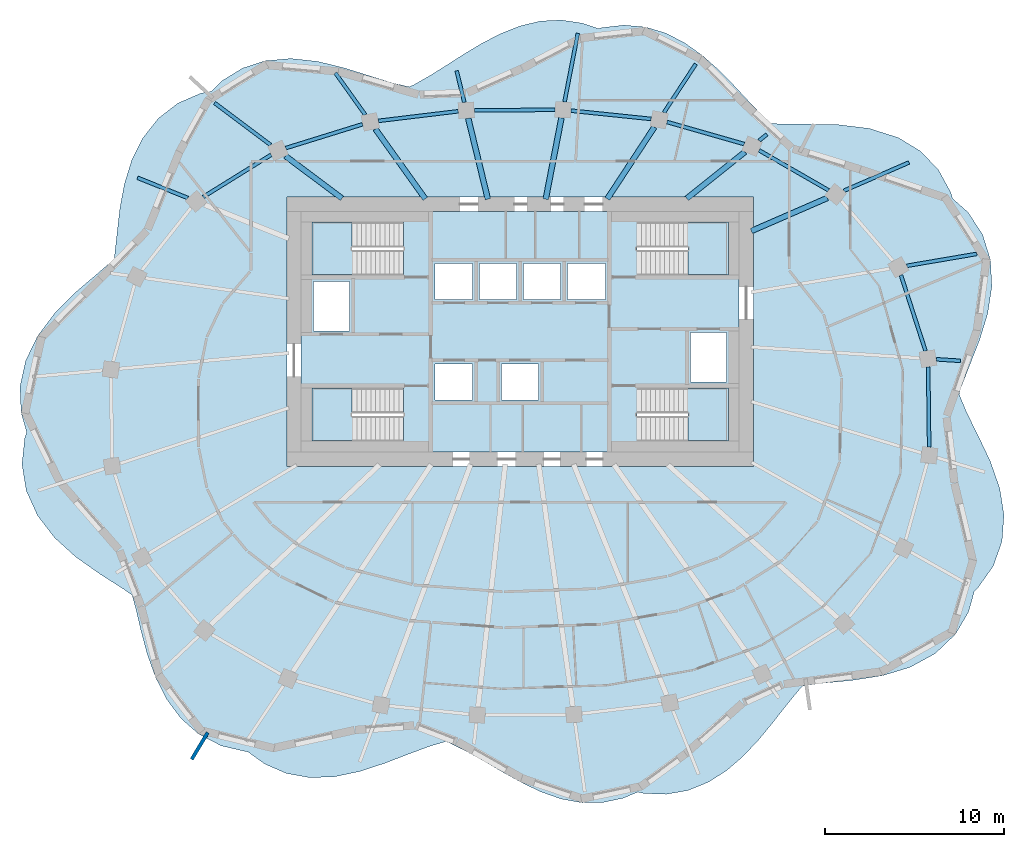
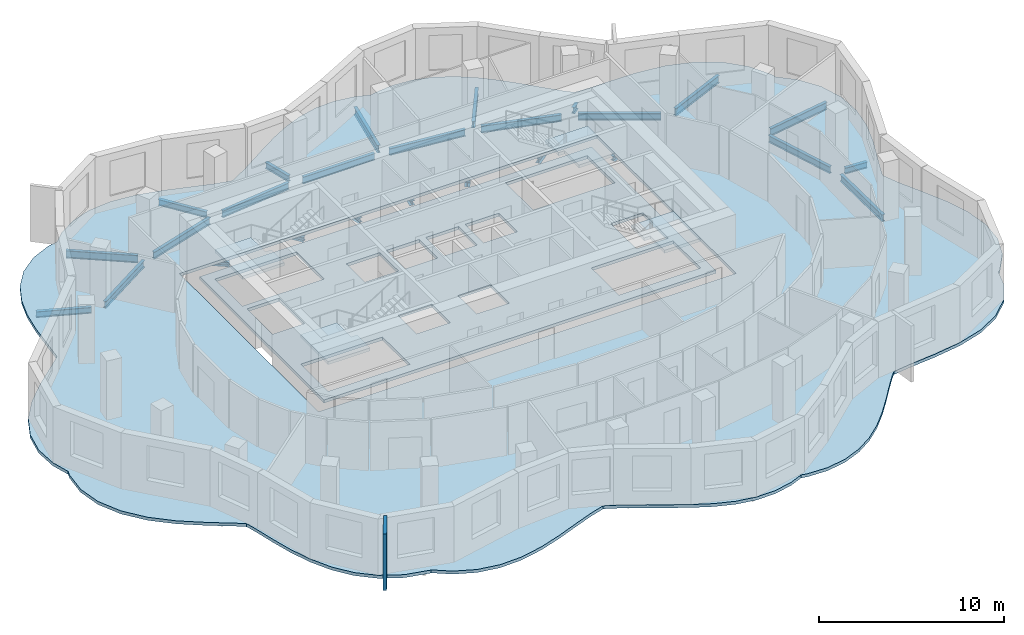
# One storey, part 2 of 9: 26 beams, 6 slabs, 1 wall, 4 elements without a shape of their own.
"""IFC4 building model written with IfcOpenShell, lengths in metres."""

import ifcopenshell
import ifcopenshell.guid

model = None  # the IFC model being written
_history = None  # IfcOwnerHistory: only IFC2X3 demands one
_inside = {}  # id of a spatial element -> (the spatial element, [elements in it])
_under = {}  # id of a project, library or spatial element -> (it, [spatial elements below it])
_declared = {}  # id of a project -> (the project, [libraries it declares])
_typed = {}  # id of a type object -> (the type object, [elements of that type])
_made_of = {}  # id of a material, layer set ... -> (it, [elements and type objects made of it])


def new_model(schema):
    """Start an empty IFC model of exactly this schema.

    Asked for "IFC4X3", IfcOpenShell would pick the latest addendum, in which some entities
    have other attributes; the version numbers below select the first issue.
    IFC2X3 requires an IfcOwnerHistory on every rooted entity: one is made here for all.
    """
    global model, _history
    if schema == "IFC4X3":
        model = ifcopenshell.file(schema_version=(4, 3, 0, 0))
    else:
        model = ifcopenshell.file(schema=schema)
    _inside.clear()
    _under.clear()
    _declared.clear()
    _typed.clear()
    _made_of.clear()
    _history = None
    if model.schema == "IFC2X3":
        org = make("IfcOrganization", Name="unknown")
        user = make(
            "IfcPersonAndOrganization",
            ThePerson=make("IfcPerson", FamilyName="unknown"),
            TheOrganization=org,
        )
        app = make(
            "IfcApplication",
            ApplicationDeveloper=org,
            Version="unknown",
            ApplicationFullName="unknown",
            ApplicationIdentifier="unknown",
        )
        _history = make(
            "IfcOwnerHistory",
            OwningUser=user,
            OwningApplication=app,
            ChangeAction="ADDED",
            CreationDate=0,
        )
    return model


def make(cls, **values):
    """One entity of the class cls with the attributes given. An attribute that is None is left unset."""
    return model.create_entity(
        cls, **{name: value for name, value in values.items() if value is not None}
    )


def rooted(cls, **values):
    """An entity with a GlobalId (a new one), such as an element, a storey or a relation."""
    return make(cls, GlobalId=ifcopenshell.guid.new(), OwnerHistory=_history, **values)


def si_unit(unit_type, name, prefix=None):
    """IfcSIUnit, for example si_unit("LENGTHUNIT", "METRE", prefix="MILLI")."""
    return make("IfcSIUnit", UnitType=unit_type, Prefix=prefix, Name=name)


def assignment(units):
    """IfcUnitAssignment: the units of a project."""
    return None if units is None else make("IfcUnitAssignment", Units=units)


def point(xyz):
    """IfcCartesianPoint."""
    return None if xyz is None else make("IfcCartesianPoint", Coordinates=xyz)


def direction(xyz):
    """IfcDirection."""
    return None if xyz is None else make("IfcDirection", DirectionRatios=xyz)


def frame(location, z_axis=None, x_axis=None):
    """IfcAxis2Placement3D, a coordinate frame: its origin and axes. An axis left out is left unset."""
    return make(
        "IfcAxis2Placement3D",
        Location=point(location),
        Axis=direction(z_axis),
        RefDirection=direction(x_axis),
    )


def frame_2d(location, x_axis=None):
    """IfcAxis2Placement2D, a coordinate frame in the plane: its origin and x axis."""
    return make(
        "IfcAxis2Placement2D", Location=point(location), RefDirection=direction(x_axis)
    )


def origin():
    """The frame at (0, 0, 0) with its axes left unset."""
    return frame((0.0, 0.0, 0.0))


def origin_2d():
    """The frame at (0, 0) in the plane with its x axis left unset."""
    return frame_2d((0.0, 0.0))


def place(relative_to, where):
    """IfcLocalPlacement: puts the frame where relative to a parent placement (None: the world)."""
    return make(
        "IfcLocalPlacement", PlacementRelTo=relative_to, RelativePlacement=where
    )


def context(
    kind, dimensions, precision=None, world=None, true_north=None, identifier=None
):
    """IfcGeometricRepresentationContext, for example the 3D "Model" context."""
    return make(
        "IfcGeometricRepresentationContext",
        ContextIdentifier=identifier,
        ContextType=kind,
        CoordinateSpaceDimension=dimensions,
        Precision=precision,
        WorldCoordinateSystem=world,
        TrueNorth=true_north,
    )


def subcontext(parent, identifier, kind, view, scale=None):
    """IfcGeometricRepresentationSubContext, for example "Body" below "Model"."""
    return make(
        "IfcGeometricRepresentationSubContext",
        ContextIdentifier=identifier,
        ContextType=kind,
        ParentContext=parent,
        TargetScale=scale,
        TargetView=view,
    )


def project(units=None, contexts=None):
    """IfcProject with its units and contexts."""
    return rooted(
        "IfcProject",
        Name="project",
        RepresentationContexts=contexts,
        UnitsInContext=assignment(units),
    )


def spatial(cls, under=None, at=None, **own):
    """A site, building, storey or space (cls), placed at a placement, below another one or the project."""
    s = rooted(cls, ObjectPlacement=at, **own)
    if under is not None:
        _under.setdefault(under.id(), (under, []))[1].append(s)
    return s


def polyline(points):
    """IfcPolyline through the points."""
    return make("IfcPolyline", Points=[point(p) for p in points])


def profile(cls, at=None, kind="AREA", **sizes):
    """A parametric profile (cls). Its sizes go by their IFC names, for example OverallWidth=200.0."""
    return make(cls, ProfileType=kind, Position=at, **sizes)


def rectangle(**sizes):
    """IfcRectangleProfileDef."""
    return profile("IfcRectangleProfileDef", **sizes)


def i_section(**sizes):
    """IfcIShapeProfileDef."""
    return profile("IfcIShapeProfileDef", **sizes)


def outline(outer, holes=None, kind="AREA"):
    """IfcArbitraryClosedProfileDef: a profile drawn as a closed curve; with holes, ...WithVoids."""
    if holes is None:
        return make("IfcArbitraryClosedProfileDef", ProfileType=kind, OuterCurve=outer)
    return make(
        "IfcArbitraryProfileDefWithVoids",
        ProfileType=kind,
        OuterCurve=outer,
        InnerCurves=holes,
    )


def extrude(swept, where, along, depth):
    """IfcExtrudedAreaSolid: the profile swept, set in the frame where, extruded along a direction by depth."""
    return make(
        "IfcExtrudedAreaSolid",
        SweptArea=swept,
        Position=where,
        ExtrudedDirection=direction(along),
        Depth=depth,
    )


def shape(context_of_items, identifier, shape_type, items):
    """IfcShapeRepresentation: the items that make up one representation, for example the "Body"."""
    return make(
        "IfcShapeRepresentation",
        ContextOfItems=context_of_items,
        RepresentationIdentifier=identifier,
        RepresentationType=shape_type,
        Items=items,
    )


def material(Name=None, Category=None):
    """IfcMaterial."""
    return make("IfcMaterial", Name=Name, Category=Category)


def layer(
    of_material, thickness, ventilated=None, Name=None, Category=None, Priority=None
):
    """IfcMaterialLayer: one layer of a wall or slab, of a material (None: an air gap)."""
    return make(
        "IfcMaterialLayer",
        Material=of_material,
        LayerThickness=thickness,
        IsVentilated=ventilated,
        Name=Name,
        Category=Category,
        Priority=Priority,
    )


def layer_set(layers, Name=None):
    """IfcMaterialLayerSet."""
    return make("IfcMaterialLayerSet", MaterialLayers=layers, LayerSetName=Name)


def material_profile(
    of_material, cross_section, Name=None, Category=None, Priority=None
):
    """IfcMaterialProfile: a cross section and its material."""
    return make(
        "IfcMaterialProfile",
        Name=Name,
        Material=of_material,
        Profile=cross_section,
        Priority=Priority,
        Category=Category,
    )


def profile_set(profiles, Name=None, composite=None):
    """IfcMaterialProfileSet."""
    return make(
        "IfcMaterialProfileSet",
        Name=Name,
        MaterialProfiles=profiles,
        CompositeProfile=composite,
    )


def made_of(thing, what):
    """Note that an element or type object is made of a material, layer set ...; save() writes the relation."""
    if what is not None:
        _made_of.setdefault(what.id(), (what, []))[1].append(thing)
    return thing


def type_object(cls, material=None, **own):
    """A type object (cls), such as IfcWallType, which elements share."""
    return made_of(rooted(cls, **own), material)


def element(
    cls,
    number,
    at=None,
    inside=None,
    cuts=None,
    type_object=None,
    material=None,
    context=None,
    identifier="Body",
    shape_type=None,
    held_by="IfcProductDefinitionShape",
    body=None,
    shapes=None,
    **own,
):
    """One element of the class cls, such as IfcWall. Its Tag is "e" and its number.

    at: its placement. inside: the storey or other place that contains it. cuts: it is an
    opening in that element (IfcRelVoidsElement). A single representation is given by context,
    identifier, shape_type and body (its items); several are given by shapes. held_by: the class
    of the entity that holds the representations. save() writes the other relations.
    """
    e = rooted(cls, Tag="e%d" % number, ObjectPlacement=at, **own)
    if body is not None:
        shapes = [shape(context, identifier, shape_type, body)]
    if shapes is not None:
        e.Representation = make(held_by, Representations=shapes)
    if inside is not None:
        _inside.setdefault(inside.id(), (inside, []))[1].append(e)
    if cuts is not None:
        rooted(
            "IfcRelVoidsElement", RelatingBuildingElement=cuts, RelatedOpeningElement=e
        )
    if type_object is not None:
        _typed.setdefault(type_object.id(), (type_object, []))[1].append(e)
    return made_of(e, material)


def aggregate(whole, parts):
    """IfcRelAggregates: a whole, such as a stair, and the parts it consists of."""
    return rooted("IfcRelAggregates", RelatingObject=whole, RelatedObjects=parts)


def save(model, path):
    """Write the relations noted so far, then the file.

    IfcRelAggregates (storeys below a building ...), IfcRelContainedInSpatialStructure (elements
    in a storey), IfcRelDefinesByType, IfcRelAssociatesMaterial and IfcRelDeclares: one each for
    every whole, place, type object, material and project.
    """
    for whole, parts in _under.values():
        aggregate(whole, parts)
    for where, things in _inside.values():
        rooted(
            "IfcRelContainedInSpatialStructure",
            RelatedElements=things,
            RelatingStructure=where,
        )
    for kind, things in _typed.values():
        rooted("IfcRelDefinesByType", RelatedObjects=things, RelatingType=kind)
    for what, things in _made_of.values():
        rooted("IfcRelAssociatesMaterial", RelatedObjects=things, RelatingMaterial=what)
    for by, libraries in _declared.values():
        rooted("IfcRelDeclares", RelatingContext=by, RelatedDefinitions=libraries)
    model.write(path)


model = new_model("IFC4")

# Units and contexts
model_context = context("Model", 3, precision=1e-05, world=origin(), true_north=direction((0.0, 1.0)))
body_context = subcontext(model_context, "Body", "Model", "MODEL_VIEW")
ifc_project = project(units=[si_unit("LENGTHUNIT", "METRE"), si_unit("AREAUNIT", "SQUARE_METRE"), si_unit("VOLUMEUNIT", "CUBIC_METRE"), si_unit("PLANEANGLEUNIT", "RADIAN"), si_unit("MASSUNIT", "GRAM", prefix="KILO")], contexts=[model_context])

# Site, building, storey
site_placement = place(None, origin())
site = spatial("IfcSite", under=ifc_project, at=site_placement, CompositionType="ELEMENT")
building_placement = place(site_placement, origin())
building = spatial("IfcBuilding", under=site, at=building_placement, Name="Rubra Terraces Tower", CompositionType="ELEMENT")
storey_placement = place(building_placement, frame((0.0, 0.0, 284.39990234375)))
storey = spatial("IfcBuildingStorey", under=building, at=storey_placement, Name="L70", CompositionType="ELEMENT", Elevation=284.39990234375)

# Beams
ifc_material_1 = material(Name="Steel Q355B", Category="steel")
ifc_material_profile_1 = material_profile(ifc_material_1, i_section(OverallWidth=0.199951171875, OverallDepth=0.39990234375, WebThickness=0.008056640625, FlangeThickness=0.012939453125, at=origin_2d()), Name="HN 400x200x8x13")
ifc_profile_set_1 = profile_set([ifc_material_profile_1], Name="Steel Q355B")
beam_type_1 = type_object("IfcBeamType", Name="CANTILEVER BEAM HN 400x200x8x13", PredefinedType="BEAM", material=ifc_profile_set_1)
beam_1_placement = place(storey_placement, frame((-3.10693359375, 17.280029296875, -0.39990234375), z_axis=(-0.236299865942, 0.971680180592, 0.0), x_axis=(-0.971680180592, -0.236299865942, 0.0)))
element("IfcBeam", 1, at=beam_1_placement, inside=storey, type_object=beam_type_1, Name="beam-L70-cant-07", PredefinedType="BEAM", context=body_context, shape_type="SweptSolid", body=[
    extrude(i_section(OverallWidth=0.199951171875, OverallDepth=0.39990234375, WebThickness=0.008056640625, FlangeThickness=0.012939453125, at=origin_2d()), origin(), (0.0, 0.0, 1.0), 1.80712890625),
])
beam_2_placement = place(storey_placement, frame((-8.632080078125, 16.591064453125, -0.39990234375), z_axis=(-0.580898696932, 0.81397586199, 0.0), x_axis=(-0.81397586199, -0.580898696932, 0.0)))
element("IfcBeam", 2, at=beam_2_placement, inside=storey, type_object=beam_type_1, Name="beam-L70-cant-08", PredefinedType="BEAM", context=body_context, shape_type="SweptSolid", body=[
    extrude(i_section(OverallWidth=0.199951171875, OverallDepth=0.39990234375, WebThickness=0.008056640625, FlangeThickness=0.012939453125, at=origin_2d()), origin(), (0.0, 0.0, 1.0), 2.857421875),
])
beam_3_placement = place(storey_placement, frame((-18.51708984375, 11.949951171875, -0.39990234375), z_axis=(-0.927727536745, 0.373258111184, 0.0), x_axis=(-0.373258111184, -0.927727536745, 0.0)))
element("IfcBeam", 3, at=beam_3_placement, inside=storey, type_object=beam_type_1, Name="beam-L70-cant-10", PredefinedType="BEAM", context=body_context, shape_type="SweptSolid", body=[
    extrude(i_section(OverallWidth=0.199951171875, OverallDepth=0.39990234375, WebThickness=0.008056640625, FlangeThickness=0.012939453125, at=origin_2d()), origin(), (0.0, 0.0, 1.0), 3.019287109375),
])
ifc_material_profile_2 = material_profile(ifc_material_1, i_section(OverallWidth=0.198974609375, OverallDepth=0.446044921875, WebThickness=0.008056640625, FlangeThickness=0.011962890625, at=origin_2d()), Name="HN 446x199x8x12")
ifc_profile_set_2 = profile_set([ifc_material_profile_2], Name="Steel Q355B")
beam_type_2 = type_object("IfcBeamType", Name="CANTILEVER BEAM HN 446x199x8x12", PredefinedType="BEAM", material=ifc_profile_set_2)
beam_4_placement = place(storey_placement, frame((8.01806640625, 16.714111328125, -0.4228515625), z_axis=(0.548902148332, 0.835886614055, 0.0), x_axis=(-0.835886614055, 0.548902148332, 0.0)))
element("IfcBeam", 4, at=beam_4_placement, inside=storey, type_object=beam_type_2, Name="beam-L70-cant-05", PredefinedType="BEAM", context=body_context, shape_type="SweptSolid", body=[
    extrude(i_section(OverallWidth=0.198974609375, OverallDepth=0.446044921875, WebThickness=0.008056640625, FlangeThickness=0.011962890625, at=origin_2d()), origin(), (0.0, 0.0, 1.0), 3.233642578125),
])
ifc_material_profile_3 = material_profile(ifc_material_1, i_section(OverallWidth=0.198974609375, OverallDepth=0.49609375, WebThickness=0.009033203125, FlangeThickness=0.013916015625, at=origin_2d()), Name="HN 496x199x9x14")
ifc_profile_set_3 = profile_set([ifc_material_profile_3], Name="Steel Q355B")
beam_type_3 = type_object("IfcBeamType", Name="CANTILEVER BEAM HN 496x199x9x14", PredefinedType="BEAM", material=ifc_profile_set_3)
beam_5_placement = place(storey_placement, frame((21.552001953125, 8.169921875, -0.447998046875), z_axis=(0.985809855884, 0.167865803673, 0.0), x_axis=(-0.167865803673, 0.985809855884, 0.0)))
element("IfcBeam", 5, at=beam_5_placement, inside=storey, type_object=beam_type_3, Name="beam-L70-cant-02", PredefinedType="BEAM", context=body_context, shape_type="SweptSolid", body=[
    extrude(i_section(OverallWidth=0.198974609375, OverallDepth=0.49609375, WebThickness=0.009033203125, FlangeThickness=0.013916015625, at=origin_2d()), origin(), (0.0, 0.0, 1.0), 3.9501953125),
])
beam_6_placement = place(storey_placement, frame((18.047119140625, 12.35205078125, -0.447998046875), z_axis=(0.916957011568, 0.398986013459, 0.0), x_axis=(-0.398986013459, 0.916957011568, 0.0)))
element("IfcBeam", 6, at=beam_6_placement, inside=storey, type_object=beam_type_3, Name="beam-L70-cant-03", PredefinedType="BEAM", context=body_context, shape_type="SweptSolid", body=[
    extrude(i_section(OverallWidth=0.198974609375, OverallDepth=0.49609375, WebThickness=0.009033203125, FlangeThickness=0.013916015625, at=origin_2d()), origin(), (0.0, 0.0, 1.0), 3.949951171875),
])
beam_7_placement = place(storey_placement, frame((2.47802734375, 17.30810546875, -0.447998046875), z_axis=(0.190086340731, 0.981767377268, 0.0), x_axis=(-0.981767377268, 0.190086340731, 0.0)))
element("IfcBeam", 7, at=beam_7_placement, inside=storey, type_object=beam_type_3, Name="beam-L70-cant-06", PredefinedType="BEAM", context=body_context, shape_type="SweptSolid", body=[
    extrude(i_section(OverallWidth=0.198974609375, OverallDepth=0.49609375, WebThickness=0.009033203125, FlangeThickness=0.013916015625, at=origin_2d()), origin(), (0.0, 0.0, 1.0), 3.8876953125),
])
beam_8_placement = place(storey_placement, frame((-13.89794921875, 14.903076171875, -0.447998046875), z_axis=(-0.800479582074, 0.599360024261, 0.0), x_axis=(-0.599360024261, -0.800479582074, 0.0)))
element("IfcBeam", 8, at=beam_8_placement, inside=storey, type_object=beam_type_3, Name="beam-L70-cant-09", PredefinedType="BEAM", context=body_context, shape_type="SweptSolid", body=[
    extrude(i_section(OverallWidth=0.198974609375, OverallDepth=0.49609375, WebThickness=0.009033203125, FlangeThickness=0.013916015625, at=origin_2d()), origin(), (0.0, 0.0, 1.0), 3.907470703125),
])
ifc_material_profile_4 = material_profile(ifc_material_1, i_section(OverallWidth=0.199951171875, OverallDepth=0.39990234375, WebThickness=0.008056640625, FlangeThickness=0.012939453125, at=origin_2d()), Name="HN 400x200x8x13")
ifc_profile_set_4 = profile_set([ifc_material_profile_4], Name="Steel Q355B")
beam_type_4 = type_object("IfcBeamType", Name="CANTILEVER STUB HN 400x200x8x13", PredefinedType="BEAM", material=ifc_profile_set_4)
beam_9_placement = place(storey_placement, frame((23.195068359375, 2.9619140625, -0.39990234375), z_axis=(0.99785850461, -0.065409515961, 0.0), x_axis=(0.065409515961, 0.99785850461, 0.0)))
element("IfcBeam", 9, at=beam_9_placement, inside=storey, type_object=beam_type_4, Name="beam-L70-cant-01", PredefinedType="BEAM", context=body_context, shape_type="SweptSolid", body=[
    extrude(i_section(OverallWidth=0.199951171875, OverallDepth=0.39990234375, WebThickness=0.008056640625, FlangeThickness=0.012939453125, at=origin_2d()), origin(), (0.0, 0.0, 1.0), 1.34375),
])
beam_10_placement = place(storey_placement, frame((13.326904296875, 15.152099609375, -0.39990234375), z_axis=(0.780868809443, 0.624695047554, 0.0), x_axis=(-0.624695047554, 0.780868809443, 0.0)))
element("IfcBeam", 10, at=beam_10_placement, inside=storey, type_object=beam_type_4, Name="beam-L70-cant-04", PredefinedType="BEAM", context=body_context, shape_type="SweptSolid", body=[
    extrude(i_section(OverallWidth=0.199951171875, OverallDepth=0.39990234375, WebThickness=0.008056640625, FlangeThickness=0.012939453125, at=origin_2d()), origin(), (0.0, 0.0, 1.0), 0.545654296875),
])
ifc_material_profile_5 = material_profile(ifc_material_1, i_section(OverallWidth=0.304931640625, OverallDepth=0.300048828125, WebThickness=0.014892578125, FlangeThickness=0.014892578125, at=origin_2d()), Name="HW 300x305x15x15")
ifc_profile_set_5 = profile_set([ifc_material_profile_5], Name="Steel Q355B")
beam_type_5 = type_object("IfcBeamType", Name="FLOOR BEAM HW 300x305x15x15", PredefinedType="BEAM", material=ifc_profile_set_5)
beam_11_placement = place(storey_placement, frame((17.12109375, 11.949951171875, -0.349853515625), z_axis=(-0.916958146743, -0.398983404569, 0.0), x_axis=(0.398983404569, -0.916958146743, 0.0)))
element("IfcBeam", 11, at=beam_11_placement, inside=storey, type_object=beam_type_5, Name="beam-L70-floor-03", PredefinedType="BEAM", context=body_context, shape_type="SweptSolid", body=[
    extrude(i_section(OverallWidth=0.304931640625, OverallDepth=0.300048828125, WebThickness=0.014892578125, FlangeThickness=0.014892578125, at=origin_2d()), origin(), (0.0, 0.0, 1.0), 4.614501953125),
])
beam_12_placement = place(storey_placement, frame((12.527099609375, 14.511962890625, -0.349853515625), z_axis=(-0.781190597938, -0.624292599423, 0.0), x_axis=(0.624292599423, -0.781190597938, 0.0)))
element("IfcBeam", 12, at=beam_12_placement, inside=storey, type_object=beam_type_5, Name="beam-L70-floor-04", PredefinedType="BEAM", context=body_context, shape_type="SweptSolid", body=[
    extrude(i_section(OverallWidth=0.304931640625, OverallDepth=0.300048828125, WebThickness=0.014892578125, FlangeThickness=0.014892578125, at=origin_2d()), origin(), (0.0, 0.0, 1.0), 4.143798828125),
])
beam_13_placement = place(storey_placement, frame((7.48388671875, 15.89990234375, -0.349853515625), z_axis=(-0.548799087814, -0.835954281773, 0.0), x_axis=(0.835954281773, -0.548799087814, 0.0)))
element("IfcBeam", 13, at=beam_13_placement, inside=storey, type_object=beam_type_5, Name="beam-L70-floor-05", PredefinedType="BEAM", context=body_context, shape_type="SweptSolid", body=[
    extrude(i_section(OverallWidth=0.304931640625, OverallDepth=0.300048828125, WebThickness=0.014892578125, FlangeThickness=0.014892578125, at=origin_2d()), origin(), (0.0, 0.0, 1.0), 4.784912109375),
])
beam_14_placement = place(storey_placement, frame((2.305908203125, 16.416015625, -0.349853515625), z_axis=(-0.190104093884, -0.981763939798, 0.0), x_axis=(0.981763939798, -0.190104093884, 0.0)))
element("IfcBeam", 14, at=beam_14_placement, inside=storey, type_object=beam_type_5, Name="beam-L70-floor-06", PredefinedType="BEAM", context=body_context, shape_type="SweptSolid", body=[
    extrude(i_section(OverallWidth=0.304931640625, OverallDepth=0.300048828125, WebThickness=0.014892578125, FlangeThickness=0.014892578125, at=origin_2d()), origin(), (0.0, 0.0, 1.0), 4.6181640625),
])
beam_15_placement = place(storey_placement, frame((-2.89111328125, 16.39208984375, -0.349853515625), z_axis=(0.236229407797, -0.971697312383, 0.0), x_axis=(0.971697312383, 0.236229407797, 0.0)))
element("IfcBeam", 15, at=beam_15_placement, inside=storey, type_object=beam_type_5, Name="beam-L70-floor-07", PredefinedType="BEAM", context=body_context, shape_type="SweptSolid", body=[
    extrude(i_section(OverallWidth=0.304931640625, OverallDepth=0.300048828125, WebThickness=0.014892578125, FlangeThickness=0.014892578125, at=origin_2d()), origin(), (0.0, 0.0, 1.0), 4.640380859375),
])
beam_16_placement = place(storey_placement, frame((-8.06201171875, 15.79296875, -0.349853515625), z_axis=(0.580948286594, -0.813940469754, 0.0), x_axis=(0.813940469754, 0.580948286594, 0.0)))
element("IfcBeam", 16, at=beam_16_placement, inside=storey, type_object=beam_type_5, Name="beam-L70-floor-08", PredefinedType="BEAM", context=body_context, shape_type="SweptSolid", body=[
    extrude(i_section(OverallWidth=0.304931640625, OverallDepth=0.300048828125, WebThickness=0.014892578125, FlangeThickness=0.014892578125, at=origin_2d()), origin(), (0.0, 0.0, 1.0), 4.7802734375),
])
beam_17_placement = place(storey_placement, frame((-13.075927734375, 14.2890625, -0.349853515625), z_axis=(0.800431185592, -0.599424655092, 0.0), x_axis=(0.599424655092, 0.800431185592, 0.0)))
element("IfcBeam", 17, at=beam_17_placement, inside=storey, type_object=beam_type_5, Name="beam-L70-floor-09", PredefinedType="BEAM", context=body_context, shape_type="SweptSolid", body=[
    extrude(i_section(OverallWidth=0.304931640625, OverallDepth=0.300048828125, WebThickness=0.014892578125, FlangeThickness=0.014892578125, at=origin_2d()), origin(), (0.0, 0.0, 1.0), 3.93896484375),
])
ifc_material_profile_6 = material_profile(ifc_material_1, i_section(OverallWidth=0.198974609375, OverallDepth=0.446044921875, WebThickness=0.008056640625, FlangeThickness=0.011962890625, at=origin_2d()), Name="HN 446x199x8x12")
ifc_profile_set_6 = profile_set([ifc_material_profile_6], Name="Steel Q355B")
beam_type_6 = type_object("IfcBeamType", Name="SPANDREL BEAM HN 446x199x8x12", PredefinedType="SPANDREL", material=ifc_profile_set_6)
beam_18_placement = place(storey_placement, frame((22.593994140625, 3.426025390625, -0.4228515625), z_axis=(-0.308536942246, 0.951212360764, 0.0), x_axis=(-0.951212360764, -0.308536942246, 0.0)))
element("IfcBeam", 18, at=beam_18_placement, inside=storey, type_object=beam_type_6, Name="beam-L70-spandrel-01", PredefinedType="SPANDREL", context=body_context, shape_type="SweptSolid", body=[
    extrude(i_section(OverallWidth=0.198974609375, OverallDepth=0.446044921875, WebThickness=0.008056640625, FlangeThickness=0.011962890625, at=origin_2d()), origin(), (0.0, 0.0, 1.0), 4.44384765625),
])
beam_19_placement = place(storey_placement, frame((17.18798828125, 12.37890625, -0.4228515625), z_axis=(-0.866616005945, 0.498975648945, 0.0), x_axis=(-0.498975648945, -0.866616005945, 0.0)))
element("IfcBeam", 19, at=beam_19_placement, inside=storey, type_object=beam_type_6, Name="beam-L70-spandrel-03", PredefinedType="SPANDREL", context=body_context, shape_type="SweptSolid", body=[
    extrude(i_section(OverallWidth=0.198974609375, OverallDepth=0.446044921875, WebThickness=0.008056640625, FlangeThickness=0.011962890625, at=origin_2d()), origin(), (0.0, 0.0, 1.0), 4.463134765625),
])
beam_20_placement = place(storey_placement, frame((12.490966796875, 14.9560546875, -0.4228515625), z_axis=(-0.961713024643, 0.27405849418, 0.0), x_axis=(-0.27405849418, -0.961713024643, 0.0)))
element("IfcBeam", 20, at=beam_20_placement, inside=storey, type_object=beam_type_6, Name="beam-L70-spandrel-04", PredefinedType="SPANDREL", context=body_context, shape_type="SweptSolid", body=[
    extrude(i_section(OverallWidth=0.198974609375, OverallDepth=0.446044921875, WebThickness=0.008056640625, FlangeThickness=0.011962890625, at=origin_2d()), origin(), (0.0, 0.0, 1.0), 4.477294921875),
])
beam_21_placement = place(storey_placement, frame((7.302001953125, 16.35400390625, -0.4228515625), z_axis=(-0.994684107425, 0.102973425873, 0.0), x_axis=(-0.102973425873, -0.994684107425, 0.0)))
element("IfcBeam", 21, at=beam_21_placement, inside=storey, type_object=beam_type_6, Name="beam-L70-spandrel-05", PredefinedType="SPANDREL", context=body_context, shape_type="SweptSolid", body=[
    extrude(i_section(OverallWidth=0.198974609375, OverallDepth=0.446044921875, WebThickness=0.008056640625, FlangeThickness=0.011962890625, at=origin_2d()), origin(), (0.0, 0.0, 1.0), 4.48583984375),
])
beam_22_placement = place(storey_placement, frame((1.94091796875, 16.860107421875, -0.4228515625), z_axis=(-0.999987753188, -0.004949088244, 0.0), x_axis=(0.004949088244, -0.999987753188, 0.0)))
element("IfcBeam", 22, at=beam_22_placement, inside=storey, type_object=beam_type_6, Name="beam-L70-spandrel-06", PredefinedType="SPANDREL", context=body_context, shape_type="SweptSolid", body=[
    extrude(i_section(OverallWidth=0.198974609375, OverallDepth=0.446044921875, WebThickness=0.008056640625, FlangeThickness=0.011962890625, at=origin_2d()), origin(), (0.0, 0.0, 1.0), 4.489013671875),
])
beam_23_placement = place(storey_placement, frame((-3.447021484375, 16.781982421875, -0.4228515625), z_axis=(-0.992829862118, -0.119536040116, 0.0), x_axis=(0.119536040116, -0.992829862118, 0.0)))
element("IfcBeam", 23, at=beam_23_placement, inside=storey, type_object=beam_type_6, Name="beam-L70-spandrel-07", PredefinedType="SPANDREL", context=body_context, shape_type="SweptSolid", body=[
    extrude(i_section(OverallWidth=0.198974609375, OverallDepth=0.446044921875, WebThickness=0.008056640625, FlangeThickness=0.011962890625, at=origin_2d()), origin(), (0.0, 0.0, 1.0), 4.483154296875),
])
beam_24_placement = place(storey_placement, frame((-8.779052734375, 16.05810546875, -0.4228515625), z_axis=(-0.955035382264, -0.296491852541, 0.0), x_axis=(0.296491852541, -0.955035382264, 0.0)))
element("IfcBeam", 24, at=beam_24_placement, inside=storey, type_object=beam_type_6, Name="beam-L70-spandrel-08", PredefinedType="SPANDREL", context=body_context, shape_type="SweptSolid", body=[
    extrude(i_section(OverallWidth=0.198974609375, OverallDepth=0.446044921875, WebThickness=0.008056640625, FlangeThickness=0.011962890625, at=origin_2d()), origin(), (0.0, 0.0, 1.0), 4.47607421875),
])
beam_25_placement = place(storey_placement, frame((-13.8720703125, 14.35693359375, -0.4228515625), z_axis=(-0.849641857012, -0.527360137679, 0.0), x_axis=(0.527360137679, -0.849641857012, 0.0)))
element("IfcBeam", 25, at=beam_25_placement, inside=storey, type_object=beam_type_6, Name="beam-L70-spandrel-09", PredefinedType="SPANDREL", context=body_context, shape_type="SweptSolid", body=[
    extrude(i_section(OverallWidth=0.198974609375, OverallDepth=0.446044921875, WebThickness=0.008056640625, FlangeThickness=0.011962890625, at=origin_2d()), origin(), (0.0, 0.0, 1.0), 4.4619140625),
])
beam_26_placement = place(storey_placement, frame((22.7958984375, -1.93408203125, -0.4228515625), z_axis=(-0.01250038801, 0.999921867097, 0.0), x_axis=(-0.999921867097, -0.01250038801, 0.0)))
element("IfcBeam", 26, at=beam_26_placement, inside=storey, type_object=beam_type_6, Name="beam-L70-spandrel-24", PredefinedType="SPANDREL", context=body_context, shape_type="SweptSolid", body=[
    extrude(i_section(OverallWidth=0.198974609375, OverallDepth=0.446044921875, WebThickness=0.008056640625, FlangeThickness=0.011962890625, at=origin_2d()), origin(), (0.0, 0.0, 1.0), 4.472412109375),
])

# Slab
ifc_material_2 = material(Name="Concrete C40", Category="concrete")
ifc_layer_1 = layer(ifc_material_2, 0.199951171875)
ifc_layer_set_1 = layer_set([ifc_layer_1], Name="Concrete C40")
slab_type_1 = type_object("IfcSlabType", Name="Core floor slab 200 concrete", PredefinedType="FLOOR", material=ifc_layer_set_1)
slab_1_placement = place(storey_placement, frame((0.0, 0.0, -0.199951171875)))
element("IfcSlab", 27, at=slab_1_placement, inside=storey, type_object=slab_type_1, Name="CORE FLOOR SLAB L70", PredefinedType="FLOOR", context=body_context, shape_type="SweptSolid", body=[
    extrude(outline(polyline([(-12.199951171875, -2.199951171875), (-12.199951171875, 11.199951171875), (12.199951171875, 11.199951171875), (12.199951171875, -2.199951171875), (-12.199951171875, -2.199951171875)]), holes=[polyline([(11.597900390625, 1.347900390625), (6.501953125, 1.347900390625), (6.501953125, -1.597900390625), (11.597900390625, -1.597900390625), (11.597900390625, 1.347900390625)]), polyline([(11.597900390625, 7.652099609375), (11.597900390625, 10.597900390625), (6.501953125, 10.597900390625), (6.501953125, 7.652099609375), (11.597900390625, 7.652099609375)]), polyline([(9.5, 1.699951171875), (11.5, 1.699951171875), (11.5, 4.449951171875), (9.5, 4.449951171875), (9.5, 1.699951171875)]), polyline([(4.75, 6.300048828125), (4.75, 8.300048828125), (2.64990234375, 8.300048828125), (2.64990234375, 6.300048828125), (4.75, 6.300048828125)]), polyline([(2.25, 8.300048828125), (0.199951171875, 8.300048828125), (0.199951171875, 6.300048828125), (2.25, 6.300048828125), (2.25, 8.300048828125)]), polyline([(1.02490234375, 0.699951171875), (1.02490234375, 2.699951171875), (-1.02490234375, 2.699951171875), (-1.02490234375, 0.699951171875), (1.02490234375, 0.699951171875)]), polyline([(-0.199951171875, 6.300048828125), (-0.199951171875, 8.300048828125), (-2.25, 8.300048828125), (-2.25, 6.300048828125), (-0.199951171875, 6.300048828125)]), polyline([(-4.75, 8.300048828125), (-4.75, 6.300048828125), (-2.64990234375, 6.300048828125), (-2.64990234375, 8.300048828125), (-4.75, 8.300048828125)]), polyline([(-2.64990234375, 0.699951171875), (-2.64990234375, 2.699951171875), (-4.75, 2.699951171875), (-4.75, 0.699951171875), (-2.64990234375, 0.699951171875)]), polyline([(-11.597900390625, -1.597900390625), (-6.501953125, -1.597900390625), (-6.501953125, 1.347900390625), (-11.597900390625, 1.347900390625), (-11.597900390625, -1.597900390625)]), polyline([(-11.597900390625, 10.597900390625), (-11.597900390625, 7.652099609375), (-6.501953125, 7.652099609375), (-6.501953125, 10.597900390625), (-11.597900390625, 10.597900390625)]), polyline([(-9.5, 4.550048828125), (-9.5, 7.300048828125), (-11.5, 7.300048828125), (-11.5, 4.550048828125), (-9.5, 4.550048828125)])]), origin(), (0.0, 0.0, 1.0), 0.199951171875),
])

# Stair, slab
stair_type = type_object("IfcStairType", Name="Core stair 1400", PredefinedType="HALF_TURN_STAIR", material=ifc_material_2)
stair_1_placement = place(storey_placement, origin())
stair_1 = element("IfcStair", 28, at=stair_1_placement, inside=storey, type_object=stair_type, Name="L70 Exit stair S1", PredefinedType="HALF_TURN_STAIR")
ifc_layer_2 = layer(ifc_material_2, 0.199951171875)
ifc_layer_set_2 = layer_set([ifc_layer_2], Name="Concrete C40")
slab_type_2 = type_object("IfcSlabType", Name="Core stair landing 200", PredefinedType="LANDING", material=ifc_layer_set_2)
slab_2_placement = place(storey_placement, frame((0.0, 0.0, 1.75)))
slab_2 = element("IfcSlab", 29, at=slab_2_placement, type_object=slab_type_2, Name="S1 landing 1", PredefinedType="LANDING", context=body_context, shape_type="SweptSolid", body=[
    extrude(outline(polyline([(-8.97998046875, -0.199951171875), (-8.97998046875, -1.60009765625), (-9.360107421875, -1.60009765625), (-9.3798828125, -1.60009765625), (-11.60009765625, -1.60009765625), (-11.60009765625, 1.35009765625), (-9.3798828125, 1.35009765625), (-9.35791015625, 1.35009765625), (-9.35791015625, -0.050048828125), (-9.360107421875, -0.050048828125), (-9.360107421875, -0.199951171875), (-8.97998046875, -0.199951171875)])), origin(), (0.0, 0.0, 1.0), 0.2001953125),
])
aggregate(stair_1, [slab_2])

stair_2_placement = place(storey_placement, origin())
stair_2 = element("IfcStair", 30, at=stair_2_placement, inside=storey, type_object=stair_type, Name="L70 Exit stair S2", PredefinedType="HALF_TURN_STAIR")
slab_3_placement = place(storey_placement, frame((0.0, 0.0, 1.75)))
slab_3 = element("IfcSlab", 31, at=slab_3_placement, type_object=slab_type_2, Name="S2 landing 1", PredefinedType="LANDING", context=body_context, shape_type="SweptSolid", body=[
    extrude(outline(polyline([(-8.97998046875, 9.050048828125), (-8.97998046875, 7.64990234375), (-9.3798828125, 7.64990234375), (-11.60009765625, 7.64990234375), (-11.60009765625, 10.60009765625), (-9.3798828125, 10.60009765625), (-9.360107421875, 10.60009765625), (-9.35791015625, 10.60009765625), (-9.35791015625, 9.199951171875), (-9.360107421875, 9.199951171875), (-9.360107421875, 9.050048828125), (-8.97998046875, 9.050048828125)])), origin(), (0.0, 0.0, 1.0), 0.2001953125),
])
aggregate(stair_2, [slab_3])

stair_3_placement = place(storey_placement, origin())
stair_3 = element("IfcStair", 32, at=stair_3_placement, inside=storey, type_object=stair_type, Name="L70 Exit stair S3", PredefinedType="HALF_TURN_STAIR")
slab_4_placement = place(storey_placement, frame((0.0, 0.0, 1.75)))
slab_4 = element("IfcSlab", 33, at=slab_4_placement, type_object=slab_type_2, Name="S3 landing 1", PredefinedType="LANDING", context=body_context, shape_type="SweptSolid", body=[
    extrude(outline(polyline([(9.360107421875, 9.050048828125), (9.360107421875, 9.199951171875), (8.97998046875, 9.199951171875), (8.97998046875, 10.60009765625), (9.360107421875, 10.60009765625), (9.3798828125, 10.60009765625), (11.60009765625, 10.60009765625), (11.60009765625, 7.64990234375), (9.3798828125, 7.64990234375), (9.35791015625, 7.64990234375), (9.35791015625, 9.050048828125), (9.360107421875, 9.050048828125)])), origin(), (0.0, 0.0, 1.0), 0.2001953125),
])
aggregate(stair_3, [slab_4])

stair_4_placement = place(storey_placement, origin())
stair_4 = element("IfcStair", 34, at=stair_4_placement, inside=storey, type_object=stair_type, Name="L70 Exit stair S4", PredefinedType="HALF_TURN_STAIR")
slab_5_placement = place(storey_placement, frame((0.0, 0.0, 1.75)))
slab_5 = element("IfcSlab", 35, at=slab_5_placement, type_object=slab_type_2, Name="S4 landing 1", PredefinedType="LANDING", context=body_context, shape_type="SweptSolid", body=[
    extrude(outline(polyline([(9.360107421875, -0.199951171875), (9.360107421875, -0.050048828125), (8.97998046875, -0.050048828125), (8.97998046875, 1.35009765625), (9.360107421875, 1.35009765625), (9.3798828125, 1.35009765625), (11.60009765625, 1.35009765625), (11.60009765625, -1.60009765625), (9.3798828125, -1.60009765625), (9.360107421875, -1.60009765625), (9.35791015625, -1.60009765625), (9.35791015625, -0.199951171875), (9.360107421875, -0.199951171875)])), origin(), (0.0, 0.0, 1.0), 0.2001953125),
])
aggregate(stair_4, [slab_5])

# Slab
ifc_layer_3 = layer(ifc_material_2, 0.199951171875)
ifc_layer_set_3 = layer_set([ifc_layer_3], Name="Concrete C40")
slab_type_3 = type_object("IfcSlabType", Name="FLOOR SLAB 200 COMPOSITE", PredefinedType="FLOOR", material=ifc_layer_set_3)
slab_6_placement = place(storey_placement, frame((0.0, 0.0, -0.199951171875)))
element("IfcSlab", 36, at=slab_6_placement, inside=storey, type_object=slab_type_3, Name="FLOOR SLAB L70", PredefinedType="FLOOR", context=body_context, shape_type="SweptSolid", body=[
    extrude(outline(polyline([(-5.048095703125, -18.60888671875), (-4.14111328125, -18.340087890625), (-3.931884765625, -18.422119140625), (-2.991943359375, -18.889892578125), (-2.012939453125, -19.44091796875), (-1.013916015625, -20.02294921875), (0.0, -20.5869140625), (1.131103515625, -21.134033203125), (2.281005859375, -21.5400390625), (3.445068359375, -21.751953125), (4.596923828125, -21.739990234375), (5.73291015625, -21.5), (6.56201171875, -21.157958984375), (6.89892578125, -21.23291015625), (8.137939453125, -21.279052734375), (9.344970703125, -21.069091796875), (10.498046875, -20.60302734375), (11.498046875, -19.965087890625), (12.424072265625, -19.1708984375), (13.27392578125, -18.27001953125), (14.05908203125, -17.320068359375), (14.794921875, -16.381103515625), (15.506103515625, -15.506103515625), (15.75390625, -15.242919921875), (16.818115234375, -15.093994140625), (18.468994140625, -14.93701171875), (20.19189453125, -14.669921875), (21.739013671875, -14.201904296875), (23.134033203125, -13.43896484375), (24.260986328125, -12.362060546875), (24.98291015625, -11.135986328125), (25.31591796875, -9.965087890625), (25.468017578125, -9.8359375), (26.367919921875, -8.56689453125), (26.85693359375, -7.18896484375), (26.966064453125, -5.718017578125), (26.72998046875, -4.23388671875), (26.214111328125, -2.748046875), (25.550048828125, -1.343017578125), (24.883056640625, 0.0), (24.466064453125, 1.011962890625), (24.544921875, 1.305908203125), (25.05908203125, 2.64111328125), (25.614990234375, 4.056884765625), (26.06005859375, 5.510009765625), (26.291015625, 7.01806640625), (26.2109375, 8.51611328125), (25.76708984375, 9.925048828125), (24.9599609375, 11.156005859375), (24.094970703125, 11.927001953125), (24.011962890625, 12.235107421875), (23.31494140625, 13.51611328125), (22.318115234375, 14.55810546875), (21.076904296875, 15.31298828125), (19.4560546875, 15.825927734375), (17.7470703125, 16.032958984375), (16.06103515625, 16.06103515625), (14.5869140625, 16.06494140625), (13.9580078125, 16.114013671875), (14.306884765625, 15.7880859375), (13.486083984375, 16.553955078125), (12.658935546875, 17.424072265625), (11.868896484375, 18.27294921875), (11.032958984375, 19.117919921875), (10.14208984375, 19.905029296875), (9.14306640625, 20.613037109375), (8.0849609375, 21.14990234375), (6.97900390625, 21.47900390625), (5.77294921875, 21.5830078125), (4.552978515625, 21.43994140625), (4.367919921875, 21.385009765625), (3.43701171875, 21.697998046875), (2.2880859375, 21.867919921875), (1.136962890625, 21.80908203125), (0.0, 21.537109375), (-1.06689453125, 21.115966796875), (-2.1240234375, 20.571044921875), (-3.159912109375, 19.948974609375), (-4.10400390625, 19.344970703125), (-5.02587890625, 18.76611328125), (-5.930908203125, 18.2529296875), (-6.173095703125, 18.14208984375), (-7.123046875, 18.365966796875), (-8.426025390625, 18.77001953125), (-9.780029296875, 19.194091796875), (-11.27392578125, 19.56005859375), (-12.77490234375, 19.721923828125), (-14.23388671875, 19.592041015625), (-15.471923828125, 19.18310546875), (-16.589111328125, 18.493896484375), (-17.555908203125, 17.555908203125), (-17.217041015625, 17.885009765625), (-17.787109375, 17.787109375), (-19.06201171875, 17.238037109375), (-20.157958984375, 16.39111328125), (-21.032958984375, 15.281982421875), (-21.64404296875, 14.050048828125), (-22.053955078125, 12.718994140625), (-22.302978515625, 11.364013671875), (-22.466064453125, 9.93701171875), (-22.610107421875, 8.616943359375), (-22.625, 8.532958984375), (-23.623046875, 7.676025390625), (-24.782958984375, 6.68310546875), (-25.9169921875, 5.549072265625), (-26.887939453125, 4.259033203125), (-27.554931640625, 2.8779296875), (-27.867919921875, 1.43408203125), (-27.806884765625, 0.0), (-27.49609375, -1.10595703125), (-27.60400390625, -1.422119140625), (-27.758056640625, -2.89501953125), (-27.52001953125, -4.35888671875), (-26.89306640625, -5.7451171875), (-25.94091796875, -6.986083984375), (-24.77099609375, -8.048095703125), (-23.404052734375, -9.012939453125), (-22.091064453125, -9.84912109375), (-21.6201171875, -10.18310546875), (-21.419921875, -10.9140625), (-21.1298828125, -12.15087890625), (-20.782958984375, -13.4541015625), (-20.31689453125, -14.761962890625), (-19.697021484375, -15.98193359375), (-18.89697265625, -17.056884765625), (-17.919921875, -17.919921875), (-16.65087890625, -18.5810546875), (-15.242919921875, -18.908935546875), (-15.176025390625, -18.909912109375), (-14.23388671875, -19.591064453125), (-13.013916015625, -20.12109375), (-11.705078125, -20.35302734375), (-10.344970703125, -20.302978515625), (-8.930908203125, -20.007080078125), (-7.535888671875, -19.549072265625), (-6.18310546875, -19.029052734375), (-5.048095703125, -18.60888671875)]), holes=[polyline([(13.0, 12.0), (13.0, -3.0), (-13.0, -3.0), (-13.0, 12.0), (13.0, 12.0)])]), origin(), (0.0, 0.0, 1.0), 0.199951171875),
])

# Wall
ifc_material_3 = material(Name="Brick masonry red-brown", Category="masonry")
ifc_layer_4 = layer(ifc_material_3, 0.199951171875)
ifc_layer_set_4 = layer_set([ifc_layer_4], Name="Brick masonry red-brown")
wall_type = type_object("IfcWallType", Name="Brick wind fin 200", PredefinedType="SOLIDWALL", material=ifc_layer_set_4)
wall_placement = place(storey_placement, frame((-17.406005859375, -17.8349609375, 0.0), z_axis=(0.0, 0.0, 1.0), x_axis=(-0.512648290506, -0.858598701514, 0.0)))
element("IfcWall", 37, at=wall_placement, inside=storey, type_object=wall_type, Name="Wind fin L70 13", PredefinedType="SOLIDWALL", context=body_context, shape_type="SweptSolid", body=[
    extrude(rectangle(XDim=1.750244140625, YDim=0.199951171875, at=frame_2d((0.875, 0.0))), origin(), (0.0, 0.0, 1.0), 3.7001953125),
])

save(model, "model.ifc")
